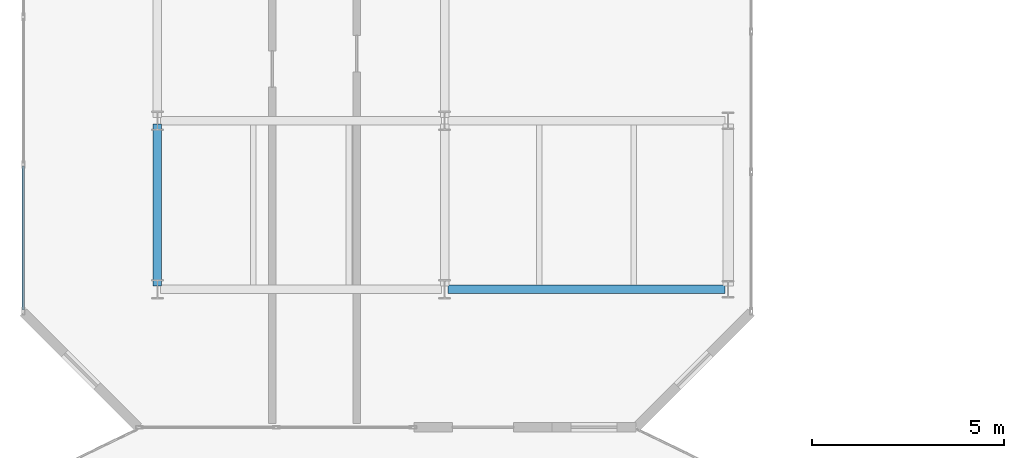
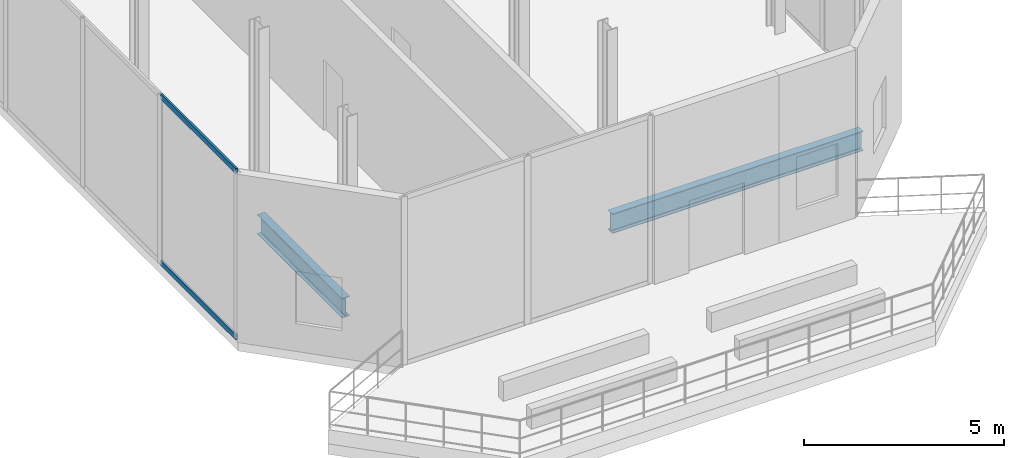
# One storey, part 3 of 17: 2 beams, 2 members, 1 element without a shape of its own.
"""IFC4 building model written with IfcOpenShell, lengths in metres."""

from ifc_helpers import new_model, si_unit, direction, frame, origin, origin_2d, place, context, subcontext, project, spatial, hollow_rectangle, i_section, extrude, material, layer, layer_set, material_profile, profile_set, type_object, element, aggregate, save


model = new_model("IFC4")

# Units and contexts
model_context = context("Model", 3, precision=1e-05, world=origin(), true_north=direction((0.0, 1.0)))
body_context = subcontext(model_context, "Body", "Model", "MODEL_VIEW")
ifc_project = project(units=[si_unit("LENGTHUNIT", "METRE"), si_unit("AREAUNIT", "SQUARE_METRE"), si_unit("VOLUMEUNIT", "CUBIC_METRE"), si_unit("PLANEANGLEUNIT", "RADIAN"), si_unit("MASSUNIT", "GRAM", prefix="KILO")], contexts=[model_context])

# Site, building, storey
site_placement = place(None, origin())
site = spatial("IfcSite", under=ifc_project, at=site_placement, CompositionType="ELEMENT")
building_placement = place(site_placement, origin())
building = spatial("IfcBuilding", under=site, at=building_placement, Name="Catumbela Crestline Tower", CompositionType="ELEMENT")
storey_placement = place(building_placement, frame((0.0, 0.0, 213.0)))
storey = spatial("IfcBuildingStorey", under=building, at=storey_placement, Name="L55", CompositionType="ELEMENT", Elevation=213.0)

# Beams
ifc_material_1 = material(Name="Structural steel S355J2", Category="steel")
ifc_material_profile_1 = material_profile(ifc_material_1, i_section(OverallWidth=0.22, OverallDepth=0.6, WebThickness=0.012, FlangeThickness=0.019, FilletRadius=0.024, at=origin_2d()), Name="IPE 600")
ifc_profile_set_1 = profile_set([ifc_material_profile_1], Name="Structural steel S355J2")
beam_type = type_object("IfcBeamType", Name="BG-IPE600", PredefinedType="BEAM", material=ifc_profile_set_1)
beam_1_placement = place(storey_placement, frame((16.08, 13.6, -0.65), z_axis=(1.0, 0.0, 0.0), x_axis=(0.0, 1.0, 0.0)))
element("IfcBeam", 1, at=beam_1_placement, inside=storey, type_object=beam_type, Name="L55 Beam BM-L55-WEW28", PredefinedType="BEAM", context=body_context, shape_type="SweptSolid", body=[
    extrude(i_section(OverallWidth=0.22, OverallDepth=0.6, WebThickness=0.012, FlangeThickness=0.019, FilletRadius=0.024, at=origin_2d()), origin(), (0.0, 0.0, 1.0), 7.24),
])
beam_2_placement = place(storey_placement, frame((8.5, 13.68, -0.65), z_axis=(0.0, 1.0, 0.0), x_axis=(-1.0, 0.0, 0.0)))
element("IfcBeam", 2, at=beam_2_placement, inside=storey, type_object=beam_type, Name="L55 Beam BM-L55-WNS31", PredefinedType="BEAM", context=body_context, shape_type="SweptSolid", body=[
    extrude(i_section(OverallWidth=0.22, OverallDepth=0.6, WebThickness=0.012, FlangeThickness=0.019, FilletRadius=0.024, at=origin_2d()), origin(), (0.0, 0.0, 1.0), 4.24),
])

# Curtain wall, members
ifc_material_2 = material(Name="Aluminium alloy AW-6060-T66", Category="aluminium")
ifc_layer = layer(ifc_material_2, 0.18, Name="Aluminium alloy AW-6060-T66")
ifc_layer_set = layer_set([ifc_layer], Name="Aluminium alloy AW-6060-T66")
curtain_wall_type = type_object("IfcCurtainWallType", Name="CWU-SKY", PredefinedType="USERDEFINED", material=ifc_layer_set)
curtain_wall_placement = place(storey_placement, origin())
curtain_wall = element("IfcCurtainWall", 3, at=curtain_wall_placement, inside=storey, type_object=curtain_wall_type, Name="L55 Unitised Curtain Wall CW-L55-E9S1", ObjectType="UNITISED", PredefinedType="USERDEFINED")
ifc_material_profile_2 = material_profile(ifc_material_2, hollow_rectangle(XDim=0.06, YDim=0.16, WallThickness=0.004, at=origin_2d()), Name="ALU 160x60x4")
ifc_profile_set_2 = profile_set([ifc_material_profile_2], Name="Aluminium alloy AW-6060-T66")
member_type = type_object("IfcMemberType", Name="TRN-160X60", PredefinedType="USERDEFINED", material=ifc_profile_set_2)
member_1_placement = place(storey_placement, frame((5.0, 16.8246, 0.03), z_axis=(0.0, -1.0, 0.0), x_axis=(1.0, 0.0, 0.0)))
member_1 = element("IfcMember", 4, at=member_1_placement, type_object=member_type, Name="CWU-SKY transom 7.1", ObjectType="TRANSOM", PredefinedType="USERDEFINED", context=body_context, shape_type="SweptSolid", body=[
    extrude(hollow_rectangle(XDim=0.06, YDim=0.16, WallThickness=0.004, at=origin_2d()), origin(), (0.0, 0.0, 1.0), 3.7596),
])
member_2_placement = place(storey_placement, frame((5.0, 16.8246, 5.1), z_axis=(0.0, -1.0, 0.0), x_axis=(1.0, 0.0, 0.0)))
member_2 = element("IfcMember", 5, at=member_2_placement, type_object=member_type, Name="CWU-SKY transom 7.2", ObjectType="TRANSOM", PredefinedType="USERDEFINED", context=body_context, shape_type="SweptSolid", body=[
    extrude(hollow_rectangle(XDim=0.06, YDim=0.16, WallThickness=0.004, at=origin_2d()), origin(), (0.0, 0.0, 1.0), 3.7596),
])
aggregate(curtain_wall, [member_1, member_2])

save(model, "model.ifc")
